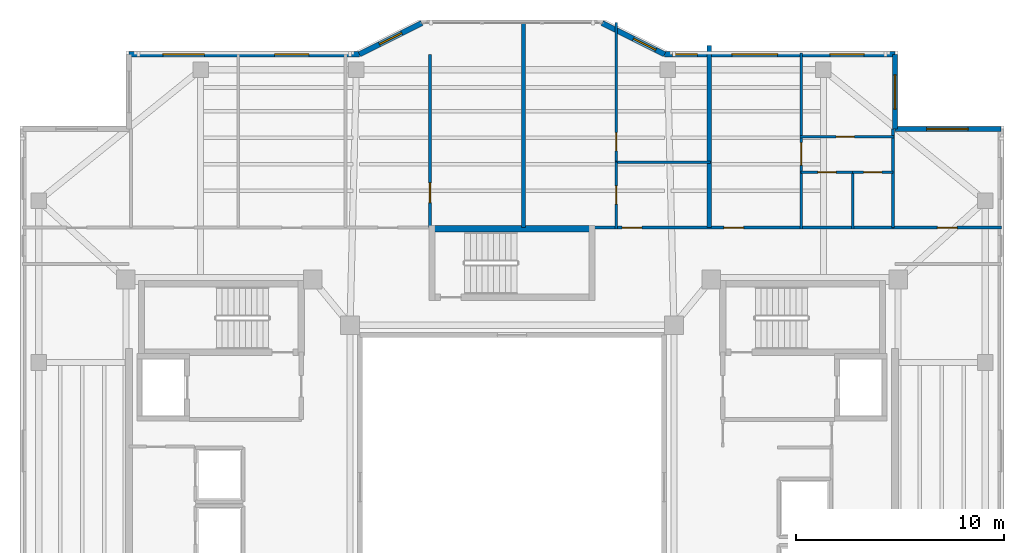
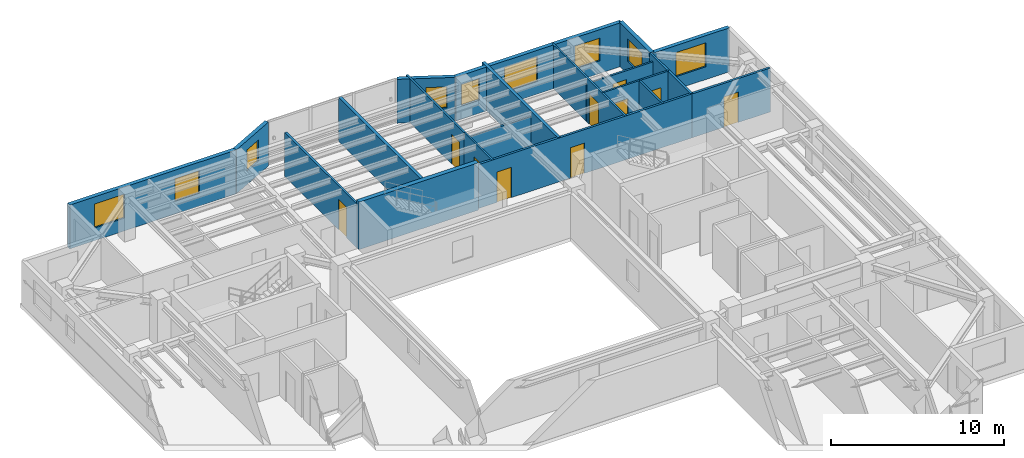
# One storey, part 7 of 11: 21 walls, 10 doors, 9 windows, 19 openings.
"""IFC4 building model written with IfcOpenShell, lengths in metres."""

import ifcopenshell
import ifcopenshell.guid

model = None  # the IFC model being written
_history = None  # IfcOwnerHistory: only IFC2X3 demands one
_inside = {}  # id of a spatial element -> (the spatial element, [elements in it])
_under = {}  # id of a project, library or spatial element -> (it, [spatial elements below it])
_declared = {}  # id of a project -> (the project, [libraries it declares])
_typed = {}  # id of a type object -> (the type object, [elements of that type])
_made_of = {}  # id of a material, layer set ... -> (it, [elements and type objects made of it])


def new_model(schema):
    """Start an empty IFC model of exactly this schema.

    Asked for "IFC4X3", IfcOpenShell would pick the latest addendum, in which some entities
    have other attributes; the version numbers below select the first issue.
    IFC2X3 requires an IfcOwnerHistory on every rooted entity: one is made here for all.
    """
    global model, _history
    if schema == "IFC4X3":
        model = ifcopenshell.file(schema_version=(4, 3, 0, 0))
    else:
        model = ifcopenshell.file(schema=schema)
    _inside.clear()
    _under.clear()
    _declared.clear()
    _typed.clear()
    _made_of.clear()
    _history = None
    if model.schema == "IFC2X3":
        org = make("IfcOrganization", Name="unknown")
        user = make(
            "IfcPersonAndOrganization",
            ThePerson=make("IfcPerson", FamilyName="unknown"),
            TheOrganization=org,
        )
        app = make(
            "IfcApplication",
            ApplicationDeveloper=org,
            Version="unknown",
            ApplicationFullName="unknown",
            ApplicationIdentifier="unknown",
        )
        _history = make(
            "IfcOwnerHistory",
            OwningUser=user,
            OwningApplication=app,
            ChangeAction="ADDED",
            CreationDate=0,
        )
    return model


def make(cls, **values):
    """One entity of the class cls with the attributes given. An attribute that is None is left unset."""
    return model.create_entity(
        cls, **{name: value for name, value in values.items() if value is not None}
    )


def rooted(cls, **values):
    """An entity with a GlobalId (a new one), such as an element, a storey or a relation."""
    return make(cls, GlobalId=ifcopenshell.guid.new(), OwnerHistory=_history, **values)


def si_unit(unit_type, name, prefix=None):
    """IfcSIUnit, for example si_unit("LENGTHUNIT", "METRE", prefix="MILLI")."""
    return make("IfcSIUnit", UnitType=unit_type, Prefix=prefix, Name=name)


def assignment(units):
    """IfcUnitAssignment: the units of a project."""
    return None if units is None else make("IfcUnitAssignment", Units=units)


def point(xyz):
    """IfcCartesianPoint."""
    return None if xyz is None else make("IfcCartesianPoint", Coordinates=xyz)


def direction(xyz):
    """IfcDirection."""
    return None if xyz is None else make("IfcDirection", DirectionRatios=xyz)


def frame(location, z_axis=None, x_axis=None):
    """IfcAxis2Placement3D, a coordinate frame: its origin and axes. An axis left out is left unset."""
    return make(
        "IfcAxis2Placement3D",
        Location=point(location),
        Axis=direction(z_axis),
        RefDirection=direction(x_axis),
    )


def frame_2d(location, x_axis=None):
    """IfcAxis2Placement2D, a coordinate frame in the plane: its origin and x axis."""
    return make(
        "IfcAxis2Placement2D", Location=point(location), RefDirection=direction(x_axis)
    )


def origin():
    """The frame at (0, 0, 0) with its axes left unset."""
    return frame((0.0, 0.0, 0.0))


def place(relative_to, where):
    """IfcLocalPlacement: puts the frame where relative to a parent placement (None: the world)."""
    return make(
        "IfcLocalPlacement", PlacementRelTo=relative_to, RelativePlacement=where
    )


def context(
    kind, dimensions, precision=None, world=None, true_north=None, identifier=None
):
    """IfcGeometricRepresentationContext, for example the 3D "Model" context."""
    return make(
        "IfcGeometricRepresentationContext",
        ContextIdentifier=identifier,
        ContextType=kind,
        CoordinateSpaceDimension=dimensions,
        Precision=precision,
        WorldCoordinateSystem=world,
        TrueNorth=true_north,
    )


def subcontext(parent, identifier, kind, view, scale=None):
    """IfcGeometricRepresentationSubContext, for example "Body" below "Model"."""
    return make(
        "IfcGeometricRepresentationSubContext",
        ContextIdentifier=identifier,
        ContextType=kind,
        ParentContext=parent,
        TargetScale=scale,
        TargetView=view,
    )


def project(units=None, contexts=None):
    """IfcProject with its units and contexts."""
    return rooted(
        "IfcProject",
        Name="project",
        RepresentationContexts=contexts,
        UnitsInContext=assignment(units),
    )


def spatial(cls, under=None, at=None, **own):
    """A site, building, storey or space (cls), placed at a placement, below another one or the project."""
    s = rooted(cls, ObjectPlacement=at, **own)
    if under is not None:
        _under.setdefault(under.id(), (under, []))[1].append(s)
    return s


def profile(cls, at=None, kind="AREA", **sizes):
    """A parametric profile (cls). Its sizes go by their IFC names, for example OverallWidth=200.0."""
    return make(cls, ProfileType=kind, Position=at, **sizes)


def rectangle(**sizes):
    """IfcRectangleProfileDef."""
    return profile("IfcRectangleProfileDef", **sizes)


def extrude(swept, where, along, depth):
    """IfcExtrudedAreaSolid: the profile swept, set in the frame where, extruded along a direction by depth."""
    return make(
        "IfcExtrudedAreaSolid",
        SweptArea=swept,
        Position=where,
        ExtrudedDirection=direction(along),
        Depth=depth,
    )


def shape(context_of_items, identifier, shape_type, items):
    """IfcShapeRepresentation: the items that make up one representation, for example the "Body"."""
    return make(
        "IfcShapeRepresentation",
        ContextOfItems=context_of_items,
        RepresentationIdentifier=identifier,
        RepresentationType=shape_type,
        Items=items,
    )


def material(Name=None, Category=None):
    """IfcMaterial."""
    return make("IfcMaterial", Name=Name, Category=Category)


def layer(
    of_material, thickness, ventilated=None, Name=None, Category=None, Priority=None
):
    """IfcMaterialLayer: one layer of a wall or slab, of a material (None: an air gap)."""
    return make(
        "IfcMaterialLayer",
        Material=of_material,
        LayerThickness=thickness,
        IsVentilated=ventilated,
        Name=Name,
        Category=Category,
        Priority=Priority,
    )


def layer_set(layers, Name=None):
    """IfcMaterialLayerSet."""
    return make("IfcMaterialLayerSet", MaterialLayers=layers, LayerSetName=Name)


def made_of(thing, what):
    """Note that an element or type object is made of a material, layer set ...; save() writes the relation."""
    if what is not None:
        _made_of.setdefault(what.id(), (what, []))[1].append(thing)
    return thing


def type_object(cls, material=None, **own):
    """A type object (cls), such as IfcWallType, which elements share."""
    return made_of(rooted(cls, **own), material)


def element(
    cls,
    number,
    at=None,
    inside=None,
    cuts=None,
    type_object=None,
    material=None,
    context=None,
    identifier="Body",
    shape_type=None,
    held_by="IfcProductDefinitionShape",
    body=None,
    shapes=None,
    **own,
):
    """One element of the class cls, such as IfcWall. Its Tag is "e" and its number.

    at: its placement. inside: the storey or other place that contains it. cuts: it is an
    opening in that element (IfcRelVoidsElement). A single representation is given by context,
    identifier, shape_type and body (its items); several are given by shapes. held_by: the class
    of the entity that holds the representations. save() writes the other relations.
    """
    e = rooted(cls, Tag="e%d" % number, ObjectPlacement=at, **own)
    if body is not None:
        shapes = [shape(context, identifier, shape_type, body)]
    if shapes is not None:
        e.Representation = make(held_by, Representations=shapes)
    if inside is not None:
        _inside.setdefault(inside.id(), (inside, []))[1].append(e)
    if cuts is not None:
        rooted(
            "IfcRelVoidsElement", RelatingBuildingElement=cuts, RelatedOpeningElement=e
        )
    if type_object is not None:
        _typed.setdefault(type_object.id(), (type_object, []))[1].append(e)
    return made_of(e, material)


def fill(opening, filler):
    """IfcRelFillsElement: the door or window that sits in an opening."""
    return rooted(
        "IfcRelFillsElement",
        RelatingOpeningElement=opening,
        RelatedBuildingElement=filler,
    )


def aggregate(whole, parts):
    """IfcRelAggregates: a whole, such as a stair, and the parts it consists of."""
    return rooted("IfcRelAggregates", RelatingObject=whole, RelatedObjects=parts)


def save(model, path):
    """Write the relations noted so far, then the file.

    IfcRelAggregates (storeys below a building ...), IfcRelContainedInSpatialStructure (elements
    in a storey), IfcRelDefinesByType, IfcRelAssociatesMaterial and IfcRelDeclares: one each for
    every whole, place, type object, material and project.
    """
    for whole, parts in _under.values():
        aggregate(whole, parts)
    for where, things in _inside.values():
        rooted(
            "IfcRelContainedInSpatialStructure",
            RelatedElements=things,
            RelatingStructure=where,
        )
    for kind, things in _typed.values():
        rooted("IfcRelDefinesByType", RelatedObjects=things, RelatingType=kind)
    for what, things in _made_of.values():
        rooted("IfcRelAssociatesMaterial", RelatedObjects=things, RelatingMaterial=what)
    for by, libraries in _declared.values():
        rooted("IfcRelDeclares", RelatingContext=by, RelatedDefinitions=libraries)
    model.write(path)


model = new_model("IFC4")

# Units and contexts
model_context = context("Model", 3, precision=1e-05, world=origin(), true_north=direction((0.0, 1.0)))
body_context = subcontext(model_context, "Body", "Model", "MODEL_VIEW")
ifc_project = project(units=[si_unit("LENGTHUNIT", "METRE"), si_unit("AREAUNIT", "SQUARE_METRE"), si_unit("VOLUMEUNIT", "CUBIC_METRE"), si_unit("PLANEANGLEUNIT", "RADIAN"), si_unit("MASSUNIT", "GRAM", prefix="KILO")], contexts=[model_context])

# Site, building, storey
site_placement = place(None, origin())
site = spatial("IfcSite", under=ifc_project, at=site_placement, CompositionType="ELEMENT")
building_placement = place(site_placement, origin())
building = spatial("IfcBuilding", under=site, at=building_placement, Name="Tarnavaz Court Tower", CompositionType="ELEMENT")
storey_placement = place(building_placement, frame((0.0, 0.0, 213.699951171875)))
storey = spatial("IfcBuildingStorey", under=building, at=storey_placement, Name="L58", CompositionType="ELEMENT", Elevation=213.699951171875)

# Wall
ifc_material_1 = material(Name="Concrete C50/60", Category="concrete")
ifc_layer_1 = layer(ifc_material_1, 0.300048828125)
ifc_layer_set_1 = layer_set([ifc_layer_1], Name="Concrete C50/60")
wall_type_1 = type_object("IfcWallType", Name="WL-CORE-300-C50", PredefinedType="SHEAR", material=ifc_layer_set_1)
wall_1_placement = place(storey_placement, frame((-4.0, 12.43994140625, 0.0), z_axis=(0.0, 0.0, 1.0), x_axis=(1.0, 0.0, 0.0)))
element("IfcWall", 1, at=wall_1_placement, inside=storey, type_object=wall_type_1, Name="L58 North Stair Core Wall 009", PredefinedType="SHEAR", context=body_context, shape_type="SweptSolid", body=[
    extrude(rectangle(XDim=8.0, YDim=0.300048828125, at=frame_2d((4.0, 0.0))), origin(), (0.0, 0.0, 1.0), 3.35009765625),
])

# Wall, openings, windows
ifc_material_2 = material(Name="Precast Concrete C40/50", Category="concrete")
ifc_layer_2 = layer(ifc_material_2, 0.260009765625)
ifc_layer_set_2 = layer_set([ifc_layer_2], Name="Precast Concrete C40/50")
wall_type_2 = type_object("IfcWallType", Name="WL-EXT-260", PredefinedType="SOLIDWALL", material=ifc_layer_set_2)
wall_2_placement = place(storey_placement, frame((-18.449951171875, 20.85009765625, 0.0), z_axis=(0.0, 0.0, 1.0), x_axis=(1.0, 0.0, 0.0)))
wall_2 = element("IfcWall", 2, at=wall_2_placement, inside=storey, type_object=wall_type_2, Name="L58 Exterior Terracotta Facade Wall 05", PredefinedType="SOLIDWALL", context=body_context, shape_type="SweptSolid", body=[
    extrude(rectangle(XDim=11.099853515625, YDim=0.260009765625, at=frame_2d((5.5498046875, 0.0))), origin(), (0.0, 0.0, 1.0), 3.10009765625),
])
opening_1_placement = place(wall_2_placement, frame((1.636962890625, 0.0, 0.89990234375)))
opening_1 = element("IfcOpeningElement", 3, at=opening_1_placement, cuts=wall_2, Name="Opening W08", PredefinedType="OPENING", context=body_context, shape_type="SweptSolid", body=[
    extrude(rectangle(XDim=2.0, YDim=1.699951171875, at=frame_2d((1.0, 0.85009765625))), frame((0.0, 0.139892578125, 0.0), z_axis=(0.0, -1.0, 0.0), x_axis=(1.0, 0.0, 0.0)), (0.0, 0.0, 1.0), 0.280029296875),
])
opening_2_placement = place(wall_2_placement, frame((7.01025390625, 0.0, 0.89990234375)))
opening_2 = element("IfcOpeningElement", 4, at=opening_2_placement, cuts=wall_2, Name="Opening W02", PredefinedType="OPENING", context=body_context, shape_type="SweptSolid", body=[
    extrude(rectangle(XDim=1.64990234375, YDim=1.60009765625, at=frame_2d((0.824951171875, 0.800048828125))), frame((0.0, 0.139892578125, 0.0), z_axis=(0.0, -1.0, 0.0), x_axis=(1.0, 0.0, 0.0)), (0.0, 0.0, 1.0), 0.280029296875),
])
ifc_material_3 = material(Name="Double-Glazed Solar Low-E Glass", Category="glass")
window_type_1 = type_object("IfcWindowType", Name="WN-APT-1650", PartitioningType="DOUBLE_PANEL_VERTICAL", PredefinedType="WINDOW", material=ifc_material_3)
window_1_placement = place(opening_2_placement, origin())
window_1 = element("IfcWindow", 5, at=window_1_placement, inside=storey, type_object=window_type_1, Name="L58 Craft and Maker Workshop Room Window", OverallHeight=1.60009765625, OverallWidth=1.64990234375, PartitioningType="SINGLE_PANEL", PredefinedType="WINDOW", context=body_context, shape_type="SweptSolid", body=[
    extrude(rectangle(XDim=1.64990234375, YDim=1.60009765625, at=frame_2d((0.824951171875, 0.800048828125))), frame((0.0, 0.030029296875, 0.0), z_axis=(0.0, -1.0, 0.0), x_axis=(1.0, 0.0, 0.0)), (0.0, 0.0, 1.0), 0.06005859375),
])
fill(opening_2, window_1)
window_type_2 = type_object("IfcWindowType", Name="WN-APT-2000", PartitioningType="DOUBLE_PANEL_VERTICAL", PredefinedType="WINDOW", material=ifc_material_3)
window_2_placement = place(opening_1_placement, origin())
window_2 = element("IfcWindow", 6, at=window_2_placement, inside=storey, type_object=window_type_2, Name="L58 Resident Community Meeting Room Window", OverallHeight=1.699951171875, OverallWidth=2.0, PartitioningType="SINGLE_PANEL", PredefinedType="WINDOW", context=body_context, shape_type="SweptSolid", body=[
    extrude(rectangle(XDim=2.0, YDim=1.699951171875, at=frame_2d((1.0, 0.85009765625))), frame((0.0, 0.030029296875, 0.0), z_axis=(0.0, -1.0, 0.0), x_axis=(1.0, 0.0, 0.0)), (0.0, 0.0, 1.0), 0.06005859375),
])
fill(opening_1, window_2)

# Wall, opening, window
wall_3_placement = place(storey_placement, frame((-7.35009765625, 20.85009765625, 0.0), z_axis=(0.0, 0.0, 1.0), x_axis=(0.894427191, 0.4472135955, 0.0)))
wall_3 = element("IfcWall", 7, at=wall_3_placement, inside=storey, type_object=wall_type_2, Name="L58 Exterior Terracotta Facade Wall 06", PredefinedType="SOLIDWALL", context=body_context, shape_type="SweptSolid", body=[
    extrude(rectangle(XDim=3.35400390625, YDim=0.260009765625, at=frame_2d((1.677001953125, 0.0))), origin(), (0.0, 0.0, 1.0), 3.10009765625),
])
opening_3_placement = place(wall_3_placement, frame((1.0771484375, 0.0, 0.949951171875)))
opening_3 = element("IfcOpeningElement", 8, at=opening_3_placement, cuts=wall_3, Name="Opening W05", PredefinedType="OPENING", context=body_context, shape_type="SweptSolid", body=[
    extrude(rectangle(XDim=1.199951171875, YDim=1.5, at=frame_2d((0.60009765625, 0.75))), frame((0.0, 0.139892578125, 0.0), z_axis=(0.0, -1.0, 0.0), x_axis=(1.0, 0.0, 0.0)), (0.0, 0.0, 1.0), 0.280029296875),
])
window_type_3 = type_object("IfcWindowType", Name="WN-APT-1200", PartitioningType="SINGLE_PANEL", PredefinedType="WINDOW", material=ifc_material_3)
window_3_placement = place(opening_3_placement, origin())
window_3 = element("IfcWindow", 9, at=window_3_placement, inside=storey, type_object=window_type_3, Name="L58 Prow Cheek Bedroom Window 06", OverallHeight=1.5, OverallWidth=1.199951171875, PartitioningType="SINGLE_PANEL", PredefinedType="WINDOW", context=body_context, shape_type="SweptSolid", body=[
    extrude(rectangle(XDim=1.199951171875, YDim=1.5, at=frame_2d((0.60009765625, 0.75))), frame((0.0, 0.030029296875, 0.0), z_axis=(0.0, -1.0, 0.0), x_axis=(1.0, 0.0, 0.0)), (0.0, 0.0, 1.0), 0.06005859375),
])
fill(opening_3, window_3)

wall_4_placement = place(storey_placement, frame((4.35009765625, 22.35009765625, 0.0), z_axis=(0.0, 0.0, 1.0), x_axis=(0.894427191, -0.4472135955, 0.0)))
wall_4 = element("IfcWall", 10, at=wall_4_placement, inside=storey, type_object=wall_type_2, Name="L58 Exterior Terracotta Facade Wall 08", PredefinedType="SOLIDWALL", context=body_context, shape_type="SweptSolid", body=[
    extrude(rectangle(XDim=3.35400390625, YDim=0.260009765625, at=frame_2d((1.677001953125, 0.0))), origin(), (0.0, 0.0, 1.0), 3.10009765625),
])
opening_4_placement = place(wall_4_placement, frame((1.677978515625, 0.0, 0.949951171875)))
opening_4 = element("IfcOpeningElement", 11, at=opening_4_placement, cuts=wall_4, Name="Opening W05", PredefinedType="OPENING", context=body_context, shape_type="SweptSolid", body=[
    extrude(rectangle(XDim=1.199951171875, YDim=1.5, at=frame_2d((0.60009765625, 0.75))), frame((0.0, 0.139892578125, 0.0), z_axis=(0.0, -1.0, 0.0), x_axis=(1.0, 0.0, 0.0)), (0.0, 0.0, 1.0), 0.280029296875),
])
window_4_placement = place(opening_4_placement, origin())
window_4 = element("IfcWindow", 12, at=window_4_placement, inside=storey, type_object=window_type_3, Name="L58 Flat 01 Kitchen Window", OverallHeight=1.5, OverallWidth=1.199951171875, PartitioningType="SINGLE_PANEL", PredefinedType="WINDOW", context=body_context, shape_type="SweptSolid", body=[
    extrude(rectangle(XDim=1.199951171875, YDim=1.5, at=frame_2d((0.60009765625, 0.75))), frame((0.0, 0.030029296875, 0.0), z_axis=(0.0, -1.0, 0.0), x_axis=(1.0, 0.0, 0.0)), (0.0, 0.0, 1.0), 0.06005859375),
])
fill(opening_4, window_4)

# Wall, openings, windows
wall_5_placement = place(storey_placement, frame((7.35009765625, 20.85009765625, 0.0), z_axis=(0.0, 0.0, 1.0), x_axis=(1.0, 0.0, 0.0)))
wall_5 = element("IfcWall", 13, at=wall_5_placement, inside=storey, type_object=wall_type_2, Name="L58 Exterior Terracotta Facade Wall 09", PredefinedType="SOLIDWALL", context=body_context, shape_type="SweptSolid", body=[
    extrude(rectangle(XDim=11.099853515625, YDim=0.260009765625, at=frame_2d((5.5498046875, 0.0))), origin(), (0.0, 0.0, 1.0), 3.10009765625),
])
opening_5_placement = place(wall_5_placement, frame((0.375, 0.0, 0.949951171875)))
opening_5 = element("IfcOpeningElement", 14, at=opening_5_placement, cuts=wall_5, Name="Opening W05", PredefinedType="OPENING", context=body_context, shape_type="SweptSolid", body=[
    extrude(rectangle(XDim=1.199951171875, YDim=1.5, at=frame_2d((0.60009765625, 0.75))), frame((0.0, 0.139892578125, 0.0), z_axis=(0.0, -1.0, 0.0), x_axis=(1.0, 0.0, 0.0)), (0.0, 0.0, 1.0), 0.280029296875),
])
opening_6_placement = place(wall_5_placement, frame((3.24462890625, 0.0, 0.89990234375)))
opening_6 = element("IfcOpeningElement", 15, at=opening_6_placement, cuts=wall_5, Name="Opening W07", PredefinedType="OPENING", context=body_context, shape_type="SweptSolid", body=[
    extrude(rectangle(XDim=2.199951171875, YDim=1.75, at=frame_2d((1.10009765625, 0.875))), frame((0.0, 0.139892578125, 0.0), z_axis=(0.0, -1.0, 0.0), x_axis=(1.0, 0.0, 0.0)), (0.0, 0.0, 1.0), 0.280029296875),
])
opening_7_placement = place(wall_5_placement, frame((7.964599609375, 0.0, 0.89990234375)))
opening_7 = element("IfcOpeningElement", 16, at=opening_7_placement, cuts=wall_5, Name="Opening W02", PredefinedType="OPENING", context=body_context, shape_type="SweptSolid", body=[
    extrude(rectangle(XDim=1.64990234375, YDim=1.60009765625, at=frame_2d((0.824951171875, 0.800048828125))), frame((0.0, 0.139892578125, 0.0), z_axis=(0.0, -1.0, 0.0), x_axis=(1.0, 0.0, 0.0)), (0.0, 0.0, 1.0), 0.280029296875),
])
window_5_placement = place(opening_5_placement, origin())
window_5 = element("IfcWindow", 17, at=window_5_placement, inside=storey, type_object=window_type_3, Name="L58 Flat 01 Kitchen Window", OverallHeight=1.5, OverallWidth=1.199951171875, PartitioningType="SINGLE_PANEL", PredefinedType="WINDOW", context=body_context, shape_type="SweptSolid", body=[
    extrude(rectangle(XDim=1.199951171875, YDim=1.5, at=frame_2d((0.60009765625, 0.75))), frame((0.0, 0.030029296875, 0.0), z_axis=(0.0, -1.0, 0.0), x_axis=(1.0, 0.0, 0.0)), (0.0, 0.0, 1.0), 0.06005859375),
])
fill(opening_5, window_5)
window_6_placement = place(opening_7_placement, origin())
window_6 = element("IfcWindow", 18, at=window_6_placement, inside=storey, type_object=window_type_1, Name="L58 Flat 02 Bedroom 1 Window", OverallHeight=1.60009765625, OverallWidth=1.64990234375, PartitioningType="SINGLE_PANEL", PredefinedType="WINDOW", context=body_context, shape_type="SweptSolid", body=[
    extrude(rectangle(XDim=1.64990234375, YDim=1.60009765625, at=frame_2d((0.824951171875, 0.800048828125))), frame((0.0, 0.030029296875, 0.0), z_axis=(0.0, -1.0, 0.0), x_axis=(1.0, 0.0, 0.0)), (0.0, 0.0, 1.0), 0.06005859375),
])
fill(opening_7, window_6)
window_type_4 = type_object("IfcWindowType", Name="WN-APT-2200", PartitioningType="TRIPLE_PANEL_VERTICAL", PredefinedType="WINDOW", material=ifc_material_3)
window_7_placement = place(opening_6_placement, origin())
window_7 = element("IfcWindow", 19, at=window_7_placement, inside=storey, type_object=window_type_4, Name="L58 Flat 02 Living and Dining Room Window", OverallHeight=1.75, OverallWidth=2.199951171875, PartitioningType="SINGLE_PANEL", PredefinedType="WINDOW", context=body_context, shape_type="SweptSolid", body=[
    extrude(rectangle(XDim=2.199951171875, YDim=1.75, at=frame_2d((1.10009765625, 0.875))), frame((0.0, 0.030029296875, 0.0), z_axis=(0.0, -1.0, 0.0), x_axis=(1.0, 0.0, 0.0)), (0.0, 0.0, 1.0), 0.06005859375),
])
fill(opening_6, window_7)

# Wall, opening, window
wall_6_placement = place(storey_placement, frame((18.449951171875, 20.85009765625, 0.0), z_axis=(0.0, 0.0, 1.0), x_axis=(0.0, -1.0, 0.0)))
wall_6 = element("IfcWall", 20, at=wall_6_placement, inside=storey, type_object=wall_type_2, Name="L58 Exterior Terracotta Facade Wall 10", PredefinedType="SOLIDWALL", context=body_context, shape_type="SweptSolid", body=[
    extrude(rectangle(XDim=3.60009765625, YDim=0.260009765625, at=frame_2d((1.800048828125, 0.0))), origin(), (0.0, 0.0, 1.0), 3.10009765625),
])
opening_8_placement = place(wall_6_placement, frame((0.992431640625, 0.0, 0.89990234375)))
opening_8 = element("IfcOpeningElement", 21, at=opening_8_placement, cuts=wall_6, Name="Opening W02", PredefinedType="OPENING", context=body_context, shape_type="SweptSolid", body=[
    extrude(rectangle(XDim=1.64990234375, YDim=1.60009765625, at=frame_2d((0.824951171875, 0.800048828125))), frame((0.0, 0.139892578125, 0.0), z_axis=(0.0, -1.0, 0.0), x_axis=(1.0, 0.0, 0.0)), (0.0, 0.0, 1.0), 0.280029296875),
])
window_8_placement = place(opening_8_placement, origin())
window_8 = element("IfcWindow", 22, at=window_8_placement, inside=storey, type_object=window_type_1, Name="L58 Flat 02 Bedroom 1 Window", OverallHeight=1.60009765625, OverallWidth=1.64990234375, PartitioningType="SINGLE_PANEL", PredefinedType="WINDOW", context=body_context, shape_type="SweptSolid", body=[
    extrude(rectangle(XDim=1.64990234375, YDim=1.60009765625, at=frame_2d((0.824951171875, 0.800048828125))), frame((0.0, 0.030029296875, 0.0), z_axis=(0.0, -1.0, 0.0), x_axis=(1.0, 0.0, 0.0)), (0.0, 0.0, 1.0), 0.06005859375),
])
fill(opening_8, window_8)

wall_7_placement = place(storey_placement, frame((18.449951171875, 17.25, 0.0), z_axis=(0.0, 0.0, 1.0), x_axis=(1.0, 0.0, 0.0)))
wall_7 = element("IfcWall", 23, at=wall_7_placement, inside=storey, type_object=wall_type_2, Name="L58 Exterior Terracotta Facade Wall 11", PredefinedType="SOLIDWALL", context=body_context, shape_type="SweptSolid", body=[
    extrude(rectangle(XDim=5.10009765625, YDim=0.260009765625, at=frame_2d((2.550048828125, 0.0))), origin(), (0.0, 0.0, 1.0), 3.10009765625),
])
opening_9_placement = place(wall_7_placement, frame((1.52490234375, 0.0, 0.89990234375)))
opening_9 = element("IfcOpeningElement", 24, at=opening_9_placement, cuts=wall_7, Name="Opening W08", PredefinedType="OPENING", context=body_context, shape_type="SweptSolid", body=[
    extrude(rectangle(XDim=2.0, YDim=1.699951171875, at=frame_2d((1.0, 0.85009765625))), frame((0.0, 0.139892578125, 0.0), z_axis=(0.0, -1.0, 0.0), x_axis=(1.0, 0.0, 0.0)), (0.0, 0.0, 1.0), 0.280029296875),
])
window_9_placement = place(opening_9_placement, origin())
window_9 = element("IfcWindow", 25, at=window_9_placement, inside=storey, type_object=window_type_2, Name="L58 North-East Corner Sunroom Study Window", OverallHeight=1.699951171875, OverallWidth=2.0, PartitioningType="SINGLE_PANEL", PredefinedType="WINDOW", context=body_context, shape_type="SweptSolid", body=[
    extrude(rectangle(XDim=2.0, YDim=1.699951171875, at=frame_2d((1.0, 0.85009765625))), frame((0.0, 0.030029296875, 0.0), z_axis=(0.0, -1.0, 0.0), x_axis=(1.0, 0.0, 0.0)), (0.0, 0.0, 1.0), 0.06005859375),
])
fill(opening_9, window_9)

# Wall, openings, doors
ifc_material_4 = material(Name="Gypsum Fire-Board on Acoustic Metal Stud", Category="masonry")
ifc_layer_3 = layer(ifc_material_4, 0.14990234375)
ifc_layer_set_3 = layer_set([ifc_layer_3], Name="Gypsum Fire-Board on Acoustic Metal Stud")
wall_type_3 = type_object("IfcWallType", Name="WL-FIRE-150", PredefinedType="PARTITIONING", material=ifc_layer_set_3)
wall_8_placement = place(storey_placement, frame((3.85009765625, 12.5, 0.0), z_axis=(0.0, 0.0, 1.0), x_axis=(1.0, 0.0, 0.0)))
wall_8 = element("IfcWall", 26, at=wall_8_placement, inside=storey, type_object=wall_type_3, Name="L58 NE Wing Corridor Wall 055", PredefinedType="PARTITIONING", context=body_context, shape_type="SweptSolid", body=[
    extrude(rectangle(XDim=14.5, YDim=0.14990234375, at=frame_2d((7.25, 0.0))), origin(), (0.0, 0.0, 1.0), 3.10009765625),
])
opening_10_placement = place(wall_8_placement, frame((1.449951171875, 0.0, 0.0)))
opening_10 = element("IfcOpeningElement", 27, at=opening_10_placement, cuts=wall_8, Name="Opening D06", PredefinedType="OPENING", context=body_context, shape_type="SweptSolid", body=[
    extrude(rectangle(XDim=0.9599609375, YDim=2.14990234375, at=frame_2d((0.47998046875, 1.074951171875))), frame((0.0, 0.0849609375, 0.0), z_axis=(0.0, -1.0, 0.0), x_axis=(1.0, 0.0, 0.0)), (0.0, 0.0, 1.0), 0.169921875),
])
opening_11_placement = place(wall_8_placement, frame((6.35009765625, 0.0, 0.0)))
opening_11 = element("IfcOpeningElement", 28, at=opening_11_placement, cuts=wall_8, Name="Opening D06", PredefinedType="OPENING", context=body_context, shape_type="SweptSolid", body=[
    extrude(rectangle(XDim=0.9599609375, YDim=2.14990234375, at=frame_2d((0.47998046875, 1.074951171875))), frame((0.0, 0.0849609375, 0.0), z_axis=(0.0, -1.0, 0.0), x_axis=(1.0, 0.0, 0.0)), (0.0, 0.0, 1.0), 0.169921875),
])
ifc_material_5 = material(Name="Fire-Rated Hardwood Timber Core", Category="wood")
door_type_1 = type_object("IfcDoorType", Name="DR-FD60-950", OperationType="NOTDEFINED", PredefinedType="DOOR", material=ifc_material_5)
door_1_placement = place(opening_10_placement, origin())
door_1 = element("IfcDoor", 29, at=door_1_placement, inside=storey, type_object=door_type_1, Name="L58 Flat 01 Entrance Door", OperationType="SINGLE_SWING_RIGHT", OverallHeight=2.14990234375, OverallWidth=0.9599609375, PredefinedType="DOOR", context=body_context, shape_type="SweptSolid", body=[
    extrude(rectangle(XDim=0.9599609375, YDim=2.14990234375, at=frame_2d((0.47998046875, 1.074951171875))), frame((0.0, 0.02490234375, 0.0), z_axis=(0.0, -1.0, 0.0), x_axis=(1.0, 0.0, 0.0)), (0.0, 0.0, 1.0), 0.050048828125),
])
fill(opening_10, door_1)
door_2_placement = place(opening_11_placement, origin())
door_2 = element("IfcDoor", 30, at=door_2_placement, inside=storey, type_object=door_type_1, Name="L58 Flat 02 Entrance Door", OperationType="SINGLE_SWING_LEFT", OverallHeight=2.14990234375, OverallWidth=0.9599609375, PredefinedType="DOOR", context=body_context, shape_type="SweptSolid", body=[
    extrude(rectangle(XDim=0.9599609375, YDim=2.14990234375, at=frame_2d((0.47998046875, 1.074951171875))), frame((0.0, 0.02490234375, 0.0), z_axis=(0.0, -1.0, 0.0), x_axis=(1.0, 0.0, 0.0)), (0.0, 0.0, 1.0), 0.050048828125),
])
fill(opening_11, door_2)

# Wall, opening, door
wall_9_placement = place(storey_placement, frame((18.35009765625, 12.5, 0.0), z_axis=(0.0, 0.0, 1.0), x_axis=(1.0, 0.0, 0.0)))
wall_9 = element("IfcWall", 31, at=wall_9_placement, inside=storey, type_object=wall_type_3, Name="L58 Interior Partition 093", PredefinedType="PARTITIONING", context=body_context, shape_type="SweptSolid", body=[
    extrude(rectangle(XDim=5.22998046875, YDim=0.14990234375, at=frame_2d((2.614990234375, 0.0))), origin(), (0.0, 0.0, 1.0), 3.10009765625),
])
opening_12_placement = place(wall_9_placement, frame((2.139892578125, 0.0, 0.0)))
opening_12 = element("IfcOpeningElement", 32, at=opening_12_placement, cuts=wall_9, Name="Opening D13", PredefinedType="OPENING", context=body_context, shape_type="SweptSolid", body=[
    extrude(rectangle(XDim=0.949951171875, YDim=2.14990234375, at=frame_2d((0.47509765625, 1.074951171875))), frame((0.0, 0.0849609375, 0.0), z_axis=(0.0, -1.0, 0.0), x_axis=(1.0, 0.0, 0.0)), (0.0, 0.0, 1.0), 0.169921875),
])
ifc_material_6 = material(Name="Engineered Oak Timber", Category="wood")
door_type_2 = type_object("IfcDoorType", Name="DR-INT-950", OperationType="NOTDEFINED", PredefinedType="DOOR", material=ifc_material_6)
door_3_placement = place(opening_12_placement, origin())
door_3 = element("IfcDoor", 33, at=door_3_placement, inside=storey, type_object=door_type_2, Name="L58 NE Sunroom Door", OperationType="SINGLE_SWING_RIGHT", OverallHeight=2.14990234375, OverallWidth=0.949951171875, PredefinedType="DOOR", context=body_context, shape_type="SweptSolid", body=[
    extrude(rectangle(XDim=0.949951171875, YDim=2.14990234375, at=frame_2d((0.47509765625, 1.074951171875))), frame((0.0, 0.02490234375, 0.0), z_axis=(0.0, -1.0, 0.0), x_axis=(1.0, 0.0, 0.0)), (0.0, 0.0, 1.0), 0.050048828125),
])
fill(opening_12, door_3)

# Walls
ifc_material_7 = material(Name="Autoclaved Aerated Concrete Blockwork", Category="masonry")
ifc_layer_4 = layer(ifc_material_7, 0.199951171875)
ifc_layer_set_4 = layer_set([ifc_layer_4], Name="Autoclaved Aerated Concrete Blockwork")
wall_type_4 = type_object("IfcWallType", Name="WL-FIRE-200", PredefinedType="SOLIDWALL", material=ifc_layer_set_4)
wall_10_placement = place(storey_placement, frame((0.550048828125, 12.5, 0.0), z_axis=(0.0, 0.0, 1.0), x_axis=(0.0, 1.0, 0.0)))
element("IfcWall", 34, at=wall_10_placement, inside=storey, type_object=wall_type_4, Name="L58 North Center Party Wall 060", PredefinedType="SOLIDWALL", context=body_context, shape_type="SweptSolid", body=[
    extrude(rectangle(XDim=9.8798828125, YDim=0.199951171875, at=frame_2d((4.93994140625, 0.0))), origin(), (0.0, 0.0, 1.0), 3.10009765625),
])
wall_11_placement = place(storey_placement, frame((9.5, 12.5, 0.0), z_axis=(0.0, 0.0, 1.0), x_axis=(0.0, 1.0, 0.0)))
element("IfcWall", 35, at=wall_11_placement, inside=storey, type_object=wall_type_4, Name="L58 Party Wall 064", PredefinedType="SOLIDWALL", context=body_context, shape_type="SweptSolid", body=[
    extrude(rectangle(XDim=8.77001953125, YDim=0.199951171875, at=frame_2d((4.385009765625, 0.0))), origin(), (0.0, 0.0, 1.0), 3.10009765625),
])

# Wall, opening, door
ifc_material_8 = material(Name="Moisture-Resistant Gypsum Board Partition", Category="masonry")
ifc_layer_5 = layer(ifc_material_8, 0.1201171875)
ifc_layer_set_5 = layer_set([ifc_layer_5], Name="Moisture-Resistant Gypsum Board Partition")
wall_type_5 = type_object("IfcWallType", Name="WL-PART-120", PredefinedType="PARTITIONING", material=ifc_layer_set_5)
wall_12_placement = place(storey_placement, frame((5.02490234375, 12.43994140625, 0.0), z_axis=(0.0, 0.0, 1.0), x_axis=(0.0, 1.0, 0.0)))
wall_12 = element("IfcWall", 36, at=wall_12_placement, inside=storey, type_object=wall_type_5, Name="L58 Interior Partition 065", PredefinedType="PARTITIONING", context=body_context, shape_type="SweptSolid", body=[
    extrude(rectangle(XDim=3.2099609375, YDim=0.1201171875, at=frame_2d((1.60498046875, 0.0))), origin(), (0.0, 0.0, 1.0), 3.10009765625),
])
opening_13_placement = place(wall_12_placement, frame((1.195068359375, 0.0, 0.0)))
opening_13 = element("IfcOpeningElement", 37, at=opening_13_placement, cuts=wall_12, Name="Opening D14", PredefinedType="OPENING", context=body_context, shape_type="SweptSolid", body=[
    extrude(rectangle(XDim=0.8798828125, YDim=2.10009765625, at=frame_2d((0.43994140625, 1.050048828125))), frame((0.0, 0.070068359375, 0.0), z_axis=(0.0, -1.0, 0.0), x_axis=(1.0, 0.0, 0.0)), (0.0, 0.0, 1.0), 0.14013671875),
])
door_type_3 = type_object("IfcDoorType", Name="DR-INT-900", OperationType="NOTDEFINED", PredefinedType="DOOR", material=ifc_material_6)
door_4_placement = place(opening_13_placement, origin())
door_4 = element("IfcDoor", 38, at=door_4_placement, inside=storey, type_object=door_type_3, Name="L58 Flat 01 Bathroom Door", OperationType="SINGLE_SWING_LEFT", OverallHeight=2.10009765625, OverallWidth=0.8798828125, PredefinedType="DOOR", context=body_context, shape_type="SweptSolid", body=[
    extrude(rectangle(XDim=0.8798828125, YDim=2.10009765625, at=frame_2d((0.43994140625, 1.050048828125))), frame((0.0, 0.02490234375, 0.0), z_axis=(0.0, -1.0, 0.0), x_axis=(1.0, 0.0, 0.0)), (0.0, 0.0, 1.0), 0.050048828125),
])
fill(opening_13, door_4)

wall_13_placement = place(storey_placement, frame((5.02490234375, 15.64990234375, 0.0), z_axis=(0.0, 0.0, 1.0), x_axis=(0.0, 1.0, 0.0)))
wall_13 = element("IfcWall", 39, at=wall_13_placement, inside=storey, type_object=wall_type_5, Name="L58 Interior Partition 066", PredefinedType="PARTITIONING", context=body_context, shape_type="SweptSolid", body=[
    extrude(rectangle(XDim=6.72412109375, YDim=0.1201171875, at=frame_2d((3.362060546875, 0.0))), origin(), (0.0, 0.0, 1.0), 3.10009765625),
])
opening_14_placement = place(wall_13_placement, frame((0.550048828125, 0.0, 0.0)))
opening_14 = element("IfcOpeningElement", 40, at=opening_14_placement, cuts=wall_13, Name="Opening D14", PredefinedType="OPENING", context=body_context, shape_type="SweptSolid", body=[
    extrude(rectangle(XDim=0.8798828125, YDim=2.10009765625, at=frame_2d((0.43994140625, 1.050048828125))), frame((0.0, 0.070068359375, 0.0), z_axis=(0.0, -1.0, 0.0), x_axis=(1.0, 0.0, 0.0)), (0.0, 0.0, 1.0), 0.14013671875),
])
door_5_placement = place(opening_14_placement, origin())
door_5 = element("IfcDoor", 41, at=door_5_placement, inside=storey, type_object=door_type_3, Name="L58 Flat 01 Kitchen Door", OperationType="SINGLE_SWING_RIGHT", OverallHeight=2.10009765625, OverallWidth=0.8798828125, PredefinedType="DOOR", context=body_context, shape_type="SweptSolid", body=[
    extrude(rectangle(XDim=0.8798828125, YDim=2.10009765625, at=frame_2d((0.43994140625, 1.050048828125))), frame((0.0, 0.02490234375, 0.0), z_axis=(0.0, -1.0, 0.0), x_axis=(1.0, 0.0, 0.0)), (0.0, 0.0, 1.0), 0.050048828125),
])
fill(opening_14, door_5)

# Wall
wall_14_placement = place(storey_placement, frame((4.965087890625, 15.64990234375, 0.0), z_axis=(0.0, 0.0, 1.0), x_axis=(1.0, 0.0, 0.0)))
element("IfcWall", 42, at=wall_14_placement, inside=storey, type_object=wall_type_5, Name="L58 Interior Partition 067", PredefinedType="PARTITIONING", context=body_context, shape_type="SweptSolid", body=[
    extrude(rectangle(XDim=4.594970703125, YDim=0.1201171875, at=frame_2d((2.29736328125, 0.0))), origin(), (0.0, 0.0, 1.0), 2.72509765625),
])

# Wall, opening, door
wall_15_placement = place(storey_placement, frame((13.925048828125, 12.43994140625, 0.0), z_axis=(0.0, 0.0, 1.0), x_axis=(0.0, 1.0, 0.0)))
wall_15 = element("IfcWall", 43, at=wall_15_placement, inside=storey, type_object=wall_type_5, Name="L58 Interior Partition 068", PredefinedType="PARTITIONING", context=body_context, shape_type="SweptSolid", body=[
    extrude(rectangle(XDim=8.4599609375, YDim=0.1201171875, at=frame_2d((4.22998046875, 0.0))), origin(), (0.0, 0.0, 1.0), 3.10009765625),
])
opening_15_placement = place(wall_15_placement, frame((3.074951171875, 0.0, 0.0)))
opening_15 = element("IfcOpeningElement", 44, at=opening_15_placement, cuts=wall_15, Name="Opening D12", PredefinedType="OPENING", context=body_context, shape_type="SweptSolid", body=[
    extrude(rectangle(XDim=1.080078125, YDim=2.14990234375, at=frame_2d((0.5400390625, 1.074951171875))), frame((0.0, 0.070068359375, 0.0), z_axis=(0.0, -1.0, 0.0), x_axis=(1.0, 0.0, 0.0)), (0.0, 0.0, 1.0), 0.14013671875),
])
door_type_4 = type_object("IfcDoorType", Name="DR-INT-1100", OperationType="NOTDEFINED", PredefinedType="DOOR", material=ifc_material_6)
door_6_placement = place(opening_15_placement, origin())
door_6 = element("IfcDoor", 45, at=door_6_placement, inside=storey, type_object=door_type_4, Name="L58 Flat 02 Foyer Door", OperationType="SINGLE_SWING_RIGHT", OverallHeight=2.14990234375, OverallWidth=1.080078125, PredefinedType="DOOR", context=body_context, shape_type="SweptSolid", body=[
    extrude(rectangle(XDim=1.080078125, YDim=2.14990234375, at=frame_2d((0.5400390625, 1.074951171875))), frame((0.0, 0.02490234375, 0.0), z_axis=(0.0, -1.0, 0.0), x_axis=(1.0, 0.0, 0.0)), (0.0, 0.0, 1.0), 0.050048828125),
])
fill(opening_15, door_6)

wall_16_placement = place(storey_placement, frame((13.925048828125, 15.169921875, 0.0), z_axis=(0.0, 0.0, 1.0), x_axis=(1.0, 0.0, 0.0)))
wall_16 = element("IfcWall", 46, at=wall_16_placement, inside=storey, type_object=wall_type_5, Name="L58 Interior Partition 069", PredefinedType="PARTITIONING", context=body_context, shape_type="SweptSolid", body=[
    extrude(rectangle(XDim=2.488037109375, YDim=0.1201171875, at=frame_2d((1.244140625, 0.0))), origin(), (0.0, 0.0, 1.0), 3.10009765625),
])
opening_16_placement = place(wall_16_placement, frame((0.803955078125, 0.0, 0.0)))
opening_16 = element("IfcOpeningElement", 47, at=opening_16_placement, cuts=wall_16, Name="Opening D14", PredefinedType="OPENING", context=body_context, shape_type="SweptSolid", body=[
    extrude(rectangle(XDim=0.8798828125, YDim=2.10009765625, at=frame_2d((0.43994140625, 1.050048828125))), frame((0.0, 0.070068359375, 0.0), z_axis=(0.0, -1.0, 0.0), x_axis=(1.0, 0.0, 0.0)), (0.0, 0.0, 1.0), 0.14013671875),
])
door_7_placement = place(opening_16_placement, origin())
door_7 = element("IfcDoor", 48, at=door_7_placement, inside=storey, type_object=door_type_3, Name="L58 Flat 02 Kitchen Door", OperationType="SINGLE_SWING_LEFT", OverallHeight=2.10009765625, OverallWidth=0.8798828125, PredefinedType="DOOR", context=body_context, shape_type="SweptSolid", body=[
    extrude(rectangle(XDim=0.8798828125, YDim=2.10009765625, at=frame_2d((0.43994140625, 1.050048828125))), frame((0.0, 0.02490234375, 0.0), z_axis=(0.0, -1.0, 0.0), x_axis=(1.0, 0.0, 0.0)), (0.0, 0.0, 1.0), 0.050048828125),
])
fill(opening_16, door_7)

wall_17_placement = place(storey_placement, frame((16.4130859375, 15.169921875, 0.0), z_axis=(0.0, 0.0, 1.0), x_axis=(1.0, 0.0, 0.0)))
wall_17 = element("IfcWall", 49, at=wall_17_placement, inside=storey, type_object=wall_type_5, Name="L58 Interior Partition 070", PredefinedType="PARTITIONING", context=body_context, shape_type="SweptSolid", body=[
    extrude(rectangle(XDim=1.93701171875, YDim=0.1201171875, at=frame_2d((0.968505859375, 0.0))), origin(), (0.0, 0.0, 1.0), 3.10009765625),
])
opening_17_placement = place(wall_17_placement, frame((0.529052734375, 0.0, 0.0)))
opening_17 = element("IfcOpeningElement", 50, at=opening_17_placement, cuts=wall_17, Name="Opening D14", PredefinedType="OPENING", context=body_context, shape_type="SweptSolid", body=[
    extrude(rectangle(XDim=0.8798828125, YDim=2.10009765625, at=frame_2d((0.43994140625, 1.050048828125))), frame((0.0, 0.070068359375, 0.0), z_axis=(0.0, -1.0, 0.0), x_axis=(1.0, 0.0, 0.0)), (0.0, 0.0, 1.0), 0.14013671875),
])
door_8_placement = place(opening_17_placement, origin())
door_8 = element("IfcDoor", 51, at=door_8_placement, inside=storey, type_object=door_type_3, Name="L58 Flat 02 Bathroom Door", OperationType="SINGLE_SWING_RIGHT", OverallHeight=2.10009765625, OverallWidth=0.8798828125, PredefinedType="DOOR", context=body_context, shape_type="SweptSolid", body=[
    extrude(rectangle(XDim=0.8798828125, YDim=2.10009765625, at=frame_2d((0.43994140625, 1.050048828125))), frame((0.0, 0.02490234375, 0.0), z_axis=(0.0, -1.0, 0.0), x_axis=(1.0, 0.0, 0.0)), (0.0, 0.0, 1.0), 0.050048828125),
])
fill(opening_17, door_8)

wall_18_placement = place(storey_placement, frame((13.864990234375, 16.8798828125, 0.0), z_axis=(0.0, 0.0, 1.0), x_axis=(1.0, 0.0, 0.0)))
wall_18 = element("IfcWall", 52, at=wall_18_placement, inside=storey, type_object=wall_type_5, Name="L58 Interior Partition 071", PredefinedType="PARTITIONING", context=body_context, shape_type="SweptSolid", body=[
    extrude(rectangle(XDim=4.544921875, YDim=0.1201171875, at=frame_2d((2.2724609375, 0.0))), origin(), (0.0, 0.0, 1.0), 2.72509765625),
])
opening_18_placement = place(wall_18_placement, frame((1.742919921875, 0.0, 0.0)))
opening_18 = element("IfcOpeningElement", 53, at=opening_18_placement, cuts=wall_18, Name="Opening D14", PredefinedType="OPENING", context=body_context, shape_type="SweptSolid", body=[
    extrude(rectangle(XDim=0.8798828125, YDim=2.10009765625, at=frame_2d((0.43994140625, 1.050048828125))), frame((0.0, 0.070068359375, 0.0), z_axis=(0.0, -1.0, 0.0), x_axis=(1.0, 0.0, 0.0)), (0.0, 0.0, 1.0), 0.14013671875),
])
door_9_placement = place(opening_18_placement, origin())
door_9 = element("IfcDoor", 54, at=door_9_placement, inside=storey, type_object=door_type_3, Name="L58 Flat 02 Bedroom 1 Door", OperationType="SINGLE_SWING_LEFT", OverallHeight=2.10009765625, OverallWidth=0.8798828125, PredefinedType="DOOR", context=body_context, shape_type="SweptSolid", body=[
    extrude(rectangle(XDim=0.8798828125, YDim=2.10009765625, at=frame_2d((0.43994140625, 1.050048828125))), frame((0.0, 0.02490234375, 0.0), z_axis=(0.0, -1.0, 0.0), x_axis=(1.0, 0.0, 0.0)), (0.0, 0.0, 1.0), 0.050048828125),
])
fill(opening_18, door_9)

# Wall
wall_19_placement = place(storey_placement, frame((16.4130859375, 12.43994140625, 0.0), z_axis=(0.0, 0.0, 1.0), x_axis=(0.0, 1.0, 0.0)))
element("IfcWall", 55, at=wall_19_placement, inside=storey, type_object=wall_type_5, Name="L58 Interior Partition 072", PredefinedType="PARTITIONING", context=body_context, shape_type="SweptSolid", body=[
    extrude(rectangle(XDim=2.7900390625, YDim=0.1201171875, at=frame_2d((1.39501953125, 0.0))), origin(), (0.0, 0.0, 1.0), 3.10009765625),
])

# Wall, opening, door
ifc_material_9 = material(Name="Gypsum Plasterboard Acoustic Partition", Category="masonry")
ifc_layer_6 = layer(ifc_material_9, 0.139892578125)
ifc_layer_set_6 = layer_set([ifc_layer_6], Name="Gypsum Plasterboard Acoustic Partition")
wall_type_6 = type_object("IfcWallType", Name="WL-PART-150", PredefinedType="PARTITIONING", material=ifc_layer_set_6)
wall_20_placement = place(storey_placement, frame((-3.949951171875, 12.5, 0.0), z_axis=(0.0, 0.0, 1.0), x_axis=(0.0, 1.0, 0.0)))
wall_20 = element("IfcWall", 56, at=wall_20_placement, inside=storey, type_object=wall_type_6, Name="L58 Interior Partition 061", PredefinedType="PARTITIONING", context=body_context, shape_type="SweptSolid", body=[
    extrude(rectangle(XDim=8.35009765625, YDim=0.139892578125, at=frame_2d((4.175048828125, 0.0))), origin(), (0.0, 0.0, 1.0), 3.10009765625),
])
opening_19_placement = place(wall_20_placement, frame((1.199951171875, 0.0, 0.0)))
opening_19 = element("IfcOpeningElement", 57, at=opening_19_placement, cuts=wall_20, Name="Opening D13", PredefinedType="OPENING", context=body_context, shape_type="SweptSolid", body=[
    extrude(rectangle(XDim=0.949951171875, YDim=2.14990234375, at=frame_2d((0.47509765625, 1.074951171875))), frame((0.0, 0.079833984375, 0.0), z_axis=(0.0, -1.0, 0.0), x_axis=(1.0, 0.0, 0.0)), (0.0, 0.0, 1.0), 0.159912109375),
])
door_10_placement = place(opening_19_placement, origin())
door_10 = element("IfcDoor", 58, at=door_10_placement, inside=storey, type_object=door_type_2, Name="L58 NW Iwan Study Door", OperationType="SINGLE_SWING_LEFT", OverallHeight=2.14990234375, OverallWidth=0.949951171875, PredefinedType="DOOR", context=body_context, shape_type="SweptSolid", body=[
    extrude(rectangle(XDim=0.949951171875, YDim=2.14990234375, at=frame_2d((0.47509765625, 1.074951171875))), frame((0.0, 0.02490234375, 0.0), z_axis=(0.0, -1.0, 0.0), x_axis=(1.0, 0.0, 0.0)), (0.0, 0.0, 1.0), 0.050048828125),
])
fill(opening_19, door_10)

# Wall
wall_21_placement = place(storey_placement, frame((18.35009765625, 12.5, 0.0), z_axis=(0.0, 0.0, 1.0), x_axis=(0.0, 1.0, 0.0)))
element("IfcWall", 59, at=wall_21_placement, inside=storey, type_object=wall_type_6, Name="L58 Interior Partition 091", PredefinedType="PARTITIONING", context=body_context, shape_type="SweptSolid", body=[
    extrude(rectangle(XDim=4.75, YDim=0.139892578125, at=frame_2d((2.375, 0.0))), origin(), (0.0, 0.0, 1.0), 3.10009765625),
])

save(model, "model.ifc")
